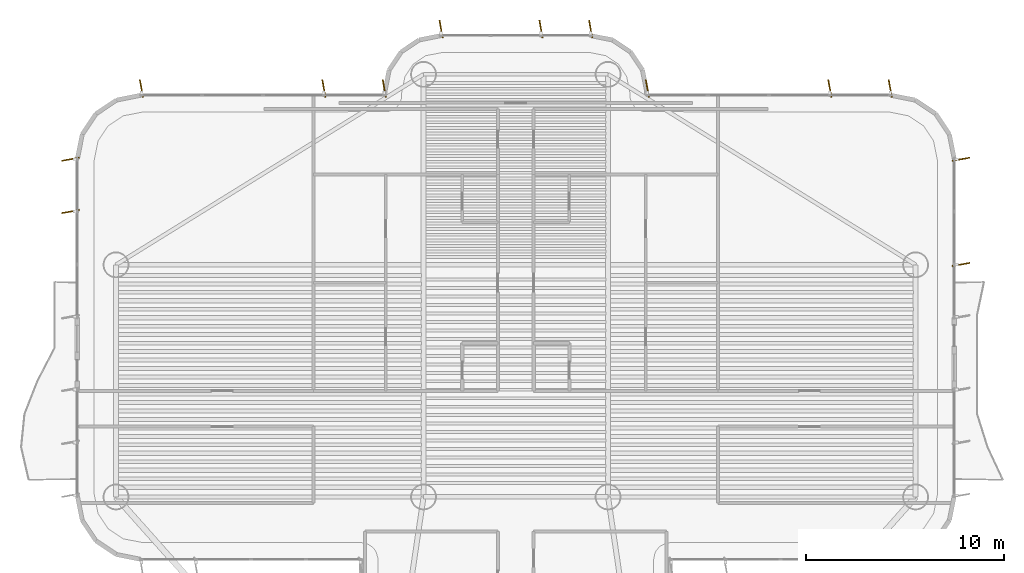
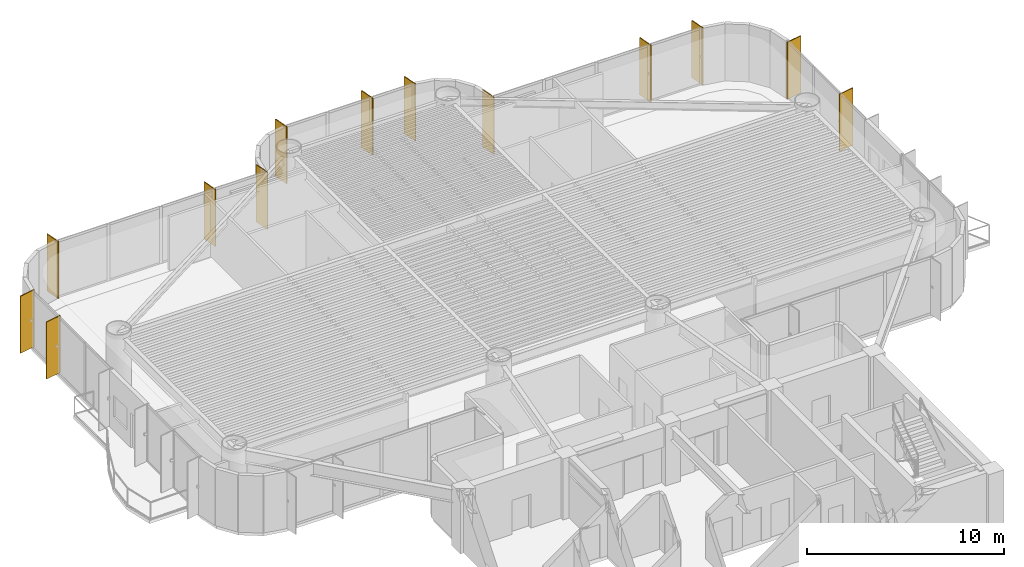
# One storey, part 16 of 16: 13 shading devices.
"""IFC4 building model written with IfcOpenShell, lengths in metres."""

from ifc_helpers import new_model, si_unit, direction, frame, origin, origin_2d, place, context, subcontext, project, spatial, rectangle, extrude, source, transform, mapped, material, material_profile, profile_set, type_object, element, save


model = new_model("IFC4")

# Units and contexts
model_context = context("Model", 3, precision=1e-05, world=origin(), true_north=direction((0.0, 1.0)))
body_context = subcontext(model_context, "Body", "Model", "MODEL_VIEW")
ifc_project = project(units=[si_unit("LENGTHUNIT", "METRE"), si_unit("AREAUNIT", "SQUARE_METRE"), si_unit("VOLUMEUNIT", "CUBIC_METRE"), si_unit("PLANEANGLEUNIT", "RADIAN"), si_unit("MASSUNIT", "GRAM", prefix="KILO")], contexts=[model_context])

# Site, building, storey
site_placement = place(None, origin())
site = spatial("IfcSite", under=ifc_project, at=site_placement, CompositionType="ELEMENT")
building_placement = place(site_placement, origin())
building = spatial("IfcBuilding", under=site, at=building_placement, Name="Brelvock Crest Care Tower", CompositionType="ELEMENT")
storey_placement = place(building_placement, frame((0.0, 0.0, 138.9599609375)))
storey = spatial("IfcBuildingStorey", under=building, at=storey_placement, Name="L35", CompositionType="ELEMENT", Elevation=138.9599609375)

# Shading devices
ifc_material = material(Name="Aluminium 6063-T6", Category="aluminium")
ifc_material_profile = material_profile(ifc_material, rectangle(XDim=0.054931640625, YDim=0.89990234375, at=origin_2d()), Name="FIN55x900")
ifc_profile_set = profile_set([ifc_material_profile], Name="Aluminium 6063-T6")
shading_device_type = type_object("IfcShadingDeviceType", Name="SHD-FIN1", PredefinedType="USERDEFINED", material=ifc_profile_set)
shared_shape = source(origin(), body_context, "Body", "SweptSolid", [
    extrude(rectangle(XDim=0.054931640625, YDim=0.89990234375, at=origin_2d()), origin(), (0.0, 0.0, 1.0), 3.530029296875),
])
for number, where, z_axis, x_axis, name in (
    (1, (13.56005859375, 41.533203125, 0.0), (0.0, 0.0, 1.0), (-0.173648177667, 0.984807753012, 0.0), "L35 Vertical Sunshade Fin E17B-03"),
    (2, (13.56005859375, 44.169921875, 0.0), (0.0, 0.0, 1.0), (-0.173648177667, 0.984807753012, 0.0), "L35 Vertical Sunshade Fin E17B-04"),
    (3, (17.1298828125, 47.739990234375, 0.0), (0.0, 0.0, 1.0), (0.984807753012, 0.173648177667, 0.0), "L35 Vertical Sunshade Fin E22-01"),
    (4, (26.324951171875, 47.739990234375, 0.0), (0.0, 0.0, 1.0), (0.984807753012, 0.173648177667, 0.0), "L35 Vertical Sunshade Fin E22-04"),
    (5, (29.3701171875, 47.739990234375, 0.0), (0.0, 0.0, 1.0), (0.984807753012, 0.173648177667, 0.0), "L35 Vertical Sunshade Fin E22-05"),
    (6, (32.22998046875, 50.739990234375, 0.0), (0.0, 0.0, 1.0), (0.984807753012, 0.173648177667, 0.0), "L35 Vertical Sunshade Fin E28-01"),
    (7, (37.2666015625, 50.739990234375, 0.0), (0.0, 0.0, 1.0), (0.984807753012, 0.173648177667, 0.0), "L35 Vertical Sunshade Fin E28-03"),
    (8, (39.77001953125, 50.739990234375, 0.0), (0.0, 0.0, 1.0), (0.984807753012, 0.173648177667, 0.0), "L35 Vertical Sunshade Fin E28-04"),
    (9, (42.6298828125, 47.739990234375, 0.0), (0.0, 0.0, 1.0), (0.984807753012, 0.173648177667, 0.0), "L35 Vertical Sunshade Fin E34-01"),
    (10, (51.824951171875, 47.739990234375, 0.0), (0.0, 0.0, 1.0), (0.984807753012, 0.173648177667, 0.0), "L35 Vertical Sunshade Fin E34-04"),
    (11, (54.8701171875, 47.739990234375, 0.0), (0.0, 0.0, 1.0), (0.984807753012, 0.173648177667, 0.0), "L35 Vertical Sunshade Fin E34-05"),
    (12, (58.43994140625, 44.169921875, 0.0), (0.0, 0.0, 1.0), (0.173648177667, -0.984807753012, 0.0), "L35 Vertical Sunshade Fin E39A-01"),
    (13, (58.43994140625, 38.86669921875, 0.0), (0.0, 0.0, 1.0), (0.173648177667, -0.984807753012, 0.0), "L35 Vertical Sunshade Fin E39A-03"),
):
    element("IfcShadingDevice", number, at=place(storey_placement, frame(where, z_axis=z_axis, x_axis=x_axis)), inside=storey, type_object=shading_device_type, Name=name, ObjectType="FIN", PredefinedType="USERDEFINED", context=body_context, shape_type="MappedRepresentation", body=[
        mapped(shared_shape, transform((0.0, 0.0, 0.0), x_axis=(1.0, 0.0, 0.0), y_axis=(0.0, 1.0, 0.0), z_axis=(0.0, 0.0, 1.0), scale=1.0)),
    ])

save(model, "model.ifc")
